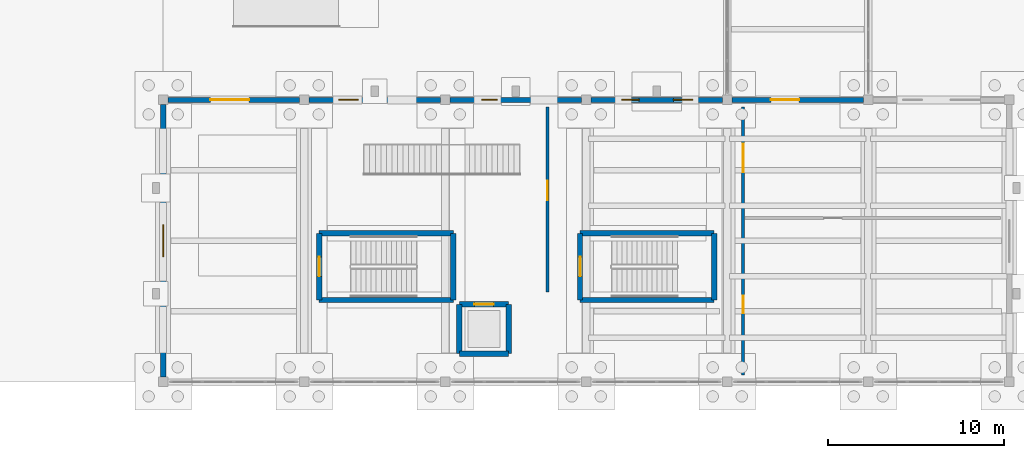
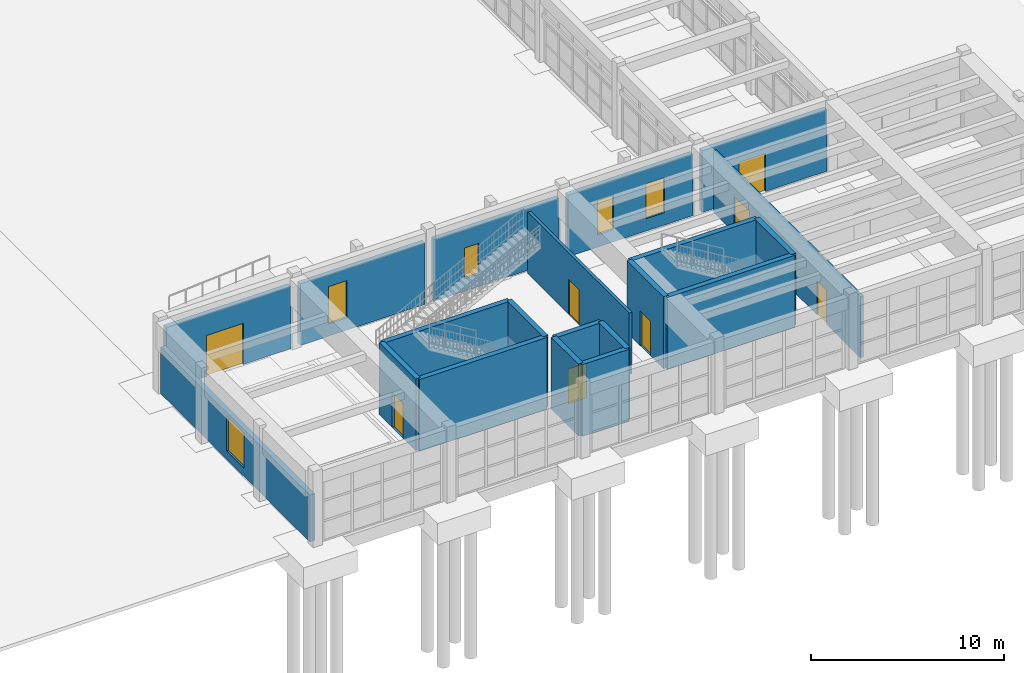
# One storey, part 45 of 68: 20 walls, 8 doors, 5 windows, 13 openings.
"""IFC4 building model written with IfcOpenShell, lengths in metres."""

import ifcopenshell
import ifcopenshell.guid

model = None  # the IFC model being written
_history = None  # IfcOwnerHistory: only IFC2X3 demands one
_inside = {}  # id of a spatial element -> (the spatial element, [elements in it])
_under = {}  # id of a project, library or spatial element -> (it, [spatial elements below it])
_declared = {}  # id of a project -> (the project, [libraries it declares])
_typed = {}  # id of a type object -> (the type object, [elements of that type])
_made_of = {}  # id of a material, layer set ... -> (it, [elements and type objects made of it])


def new_model(schema):
    """Start an empty IFC model of exactly this schema.

    Asked for "IFC4X3", IfcOpenShell would pick the latest addendum, in which some entities
    have other attributes; the version numbers below select the first issue.
    IFC2X3 requires an IfcOwnerHistory on every rooted entity: one is made here for all.
    """
    global model, _history
    if schema == "IFC4X3":
        model = ifcopenshell.file(schema_version=(4, 3, 0, 0))
    else:
        model = ifcopenshell.file(schema=schema)
    _inside.clear()
    _under.clear()
    _declared.clear()
    _typed.clear()
    _made_of.clear()
    _history = None
    if model.schema == "IFC2X3":
        org = make("IfcOrganization", Name="unknown")
        user = make(
            "IfcPersonAndOrganization",
            ThePerson=make("IfcPerson", FamilyName="unknown"),
            TheOrganization=org,
        )
        app = make(
            "IfcApplication",
            ApplicationDeveloper=org,
            Version="unknown",
            ApplicationFullName="unknown",
            ApplicationIdentifier="unknown",
        )
        _history = make(
            "IfcOwnerHistory",
            OwningUser=user,
            OwningApplication=app,
            ChangeAction="ADDED",
            CreationDate=0,
        )
    return model


def make(cls, **values):
    """One entity of the class cls with the attributes given. An attribute that is None is left unset."""
    return model.create_entity(
        cls, **{name: value for name, value in values.items() if value is not None}
    )


def rooted(cls, **values):
    """An entity with a GlobalId (a new one), such as an element, a storey or a relation."""
    return make(cls, GlobalId=ifcopenshell.guid.new(), OwnerHistory=_history, **values)


def si_unit(unit_type, name, prefix=None):
    """IfcSIUnit, for example si_unit("LENGTHUNIT", "METRE", prefix="MILLI")."""
    return make("IfcSIUnit", UnitType=unit_type, Prefix=prefix, Name=name)


def assignment(units):
    """IfcUnitAssignment: the units of a project."""
    return None if units is None else make("IfcUnitAssignment", Units=units)


def point(xyz):
    """IfcCartesianPoint."""
    return None if xyz is None else make("IfcCartesianPoint", Coordinates=xyz)


def direction(xyz):
    """IfcDirection."""
    return None if xyz is None else make("IfcDirection", DirectionRatios=xyz)


def frame(location, z_axis=None, x_axis=None):
    """IfcAxis2Placement3D, a coordinate frame: its origin and axes. An axis left out is left unset."""
    return make(
        "IfcAxis2Placement3D",
        Location=point(location),
        Axis=direction(z_axis),
        RefDirection=direction(x_axis),
    )


def frame_2d(location, x_axis=None):
    """IfcAxis2Placement2D, a coordinate frame in the plane: its origin and x axis."""
    return make(
        "IfcAxis2Placement2D", Location=point(location), RefDirection=direction(x_axis)
    )


def origin():
    """The frame at (0, 0, 0) with its axes left unset."""
    return frame((0.0, 0.0, 0.0))


def place(relative_to, where):
    """IfcLocalPlacement: puts the frame where relative to a parent placement (None: the world)."""
    return make(
        "IfcLocalPlacement", PlacementRelTo=relative_to, RelativePlacement=where
    )


def context(
    kind, dimensions, precision=None, world=None, true_north=None, identifier=None
):
    """IfcGeometricRepresentationContext, for example the 3D "Model" context."""
    return make(
        "IfcGeometricRepresentationContext",
        ContextIdentifier=identifier,
        ContextType=kind,
        CoordinateSpaceDimension=dimensions,
        Precision=precision,
        WorldCoordinateSystem=world,
        TrueNorth=true_north,
    )


def subcontext(parent, identifier, kind, view, scale=None):
    """IfcGeometricRepresentationSubContext, for example "Body" below "Model"."""
    return make(
        "IfcGeometricRepresentationSubContext",
        ContextIdentifier=identifier,
        ContextType=kind,
        ParentContext=parent,
        TargetScale=scale,
        TargetView=view,
    )


def project(units=None, contexts=None):
    """IfcProject with its units and contexts."""
    return rooted(
        "IfcProject",
        Name="project",
        RepresentationContexts=contexts,
        UnitsInContext=assignment(units),
    )


def spatial(cls, under=None, at=None, **own):
    """A site, building, storey or space (cls), placed at a placement, below another one or the project."""
    s = rooted(cls, ObjectPlacement=at, **own)
    if under is not None:
        _under.setdefault(under.id(), (under, []))[1].append(s)
    return s


def profile(cls, at=None, kind="AREA", **sizes):
    """A parametric profile (cls). Its sizes go by their IFC names, for example OverallWidth=200.0."""
    return make(cls, ProfileType=kind, Position=at, **sizes)


def rectangle(**sizes):
    """IfcRectangleProfileDef."""
    return profile("IfcRectangleProfileDef", **sizes)


def extrude(swept, where, along, depth):
    """IfcExtrudedAreaSolid: the profile swept, set in the frame where, extruded along a direction by depth."""
    return make(
        "IfcExtrudedAreaSolid",
        SweptArea=swept,
        Position=where,
        ExtrudedDirection=direction(along),
        Depth=depth,
    )


def shape(context_of_items, identifier, shape_type, items):
    """IfcShapeRepresentation: the items that make up one representation, for example the "Body"."""
    return make(
        "IfcShapeRepresentation",
        ContextOfItems=context_of_items,
        RepresentationIdentifier=identifier,
        RepresentationType=shape_type,
        Items=items,
    )


def material(Name=None, Category=None):
    """IfcMaterial."""
    return make("IfcMaterial", Name=Name, Category=Category)


def layer(
    of_material, thickness, ventilated=None, Name=None, Category=None, Priority=None
):
    """IfcMaterialLayer: one layer of a wall or slab, of a material (None: an air gap)."""
    return make(
        "IfcMaterialLayer",
        Material=of_material,
        LayerThickness=thickness,
        IsVentilated=ventilated,
        Name=Name,
        Category=Category,
        Priority=Priority,
    )


def layer_set(layers, Name=None):
    """IfcMaterialLayerSet."""
    return make("IfcMaterialLayerSet", MaterialLayers=layers, LayerSetName=Name)


def made_of(thing, what):
    """Note that an element or type object is made of a material, layer set ...; save() writes the relation."""
    if what is not None:
        _made_of.setdefault(what.id(), (what, []))[1].append(thing)
    return thing


def type_object(cls, material=None, **own):
    """A type object (cls), such as IfcWallType, which elements share."""
    return made_of(rooted(cls, **own), material)


def element(
    cls,
    number,
    at=None,
    inside=None,
    cuts=None,
    type_object=None,
    material=None,
    context=None,
    identifier="Body",
    shape_type=None,
    held_by="IfcProductDefinitionShape",
    body=None,
    shapes=None,
    **own,
):
    """One element of the class cls, such as IfcWall. Its Tag is "e" and its number.

    at: its placement. inside: the storey or other place that contains it. cuts: it is an
    opening in that element (IfcRelVoidsElement). A single representation is given by context,
    identifier, shape_type and body (its items); several are given by shapes. held_by: the class
    of the entity that holds the representations. save() writes the other relations.
    """
    e = rooted(cls, Tag="e%d" % number, ObjectPlacement=at, **own)
    if body is not None:
        shapes = [shape(context, identifier, shape_type, body)]
    if shapes is not None:
        e.Representation = make(held_by, Representations=shapes)
    if inside is not None:
        _inside.setdefault(inside.id(), (inside, []))[1].append(e)
    if cuts is not None:
        rooted(
            "IfcRelVoidsElement", RelatingBuildingElement=cuts, RelatedOpeningElement=e
        )
    if type_object is not None:
        _typed.setdefault(type_object.id(), (type_object, []))[1].append(e)
    return made_of(e, material)


def fill(opening, filler):
    """IfcRelFillsElement: the door or window that sits in an opening."""
    return rooted(
        "IfcRelFillsElement",
        RelatingOpeningElement=opening,
        RelatedBuildingElement=filler,
    )


def aggregate(whole, parts):
    """IfcRelAggregates: a whole, such as a stair, and the parts it consists of."""
    return rooted("IfcRelAggregates", RelatingObject=whole, RelatedObjects=parts)


def save(model, path):
    """Write the relations noted so far, then the file.

    IfcRelAggregates (storeys below a building ...), IfcRelContainedInSpatialStructure (elements
    in a storey), IfcRelDefinesByType, IfcRelAssociatesMaterial and IfcRelDeclares: one each for
    every whole, place, type object, material and project.
    """
    for whole, parts in _under.values():
        aggregate(whole, parts)
    for where, things in _inside.values():
        rooted(
            "IfcRelContainedInSpatialStructure",
            RelatedElements=things,
            RelatingStructure=where,
        )
    for kind, things in _typed.values():
        rooted("IfcRelDefinesByType", RelatedObjects=things, RelatingType=kind)
    for what, things in _made_of.values():
        rooted("IfcRelAssociatesMaterial", RelatedObjects=things, RelatingMaterial=what)
    for by, libraries in _declared.values():
        rooted("IfcRelDeclares", RelatingContext=by, RelatedDefinitions=libraries)
    model.write(path)


model = new_model("IFC4")

# Units and contexts
model_context = context("Model", 3, precision=1e-05, world=origin(), true_north=direction((0.0, 1.0)))
body_context = subcontext(model_context, "Body", "Model", "MODEL_VIEW")
ifc_project = project(units=[si_unit("LENGTHUNIT", "METRE"), si_unit("AREAUNIT", "SQUARE_METRE"), si_unit("VOLUMEUNIT", "CUBIC_METRE"), si_unit("PLANEANGLEUNIT", "RADIAN"), si_unit("MASSUNIT", "GRAM", prefix="KILO")], contexts=[model_context])

# Site, building, storey
site_placement = place(None, origin())
site = spatial("IfcSite", under=ifc_project, at=site_placement, CompositionType="ELEMENT")
building_placement = place(site_placement, origin())
building = spatial("IfcBuilding", under=site, at=building_placement, Name="Serraluz Foothill Cableway Terminal", CompositionType="ELEMENT")
storey_placement = place(building_placement, origin())
storey = spatial("IfcBuildingStorey", under=building, at=storey_placement, Name="L00", CompositionType="ELEMENT", Elevation=0.0)

# Wall, opening, door
ifc_material_1 = material(Name="Fired clay masonry brick (f'm 12 MPa)", Category="masonry")
ifc_layer_1 = layer(ifc_material_1, 0.280029296875, Name="Fired clay masonry brick (f'm 12 MPa)", Category="masonry")
ifc_layer_set_1 = layer_set([ifc_layer_1], Name="Fired clay masonry brick (f'm 12 MPa)")
wall_type_1 = type_object("IfcWallType", Name="TYP-WL-EXT-280", PredefinedType="STANDARD", material=ifc_layer_set_1)
wall_1_placement = place(storey_placement, frame((88.27490234375, 16.0, 0.0), z_axis=(0.0, 0.0, 1.0), x_axis=(1.0, 0.0, 0.0)))
wall_1 = element("IfcWall", 1, at=wall_1_placement, inside=storey, type_object=wall_type_1, Name="Exterior Masonry Wall EW-V3N-L00-88", PredefinedType="STANDARD", context=body_context, shape_type="SweptSolid", body=[
    extrude(rectangle(XDim=7.4501953125, YDim=0.280029296875, at=frame_2d((3.72509765625, 0.0))), origin(), (0.0, 0.0, 1.0), 3.945068359375),
])
opening_1_placement = place(wall_1_placement, frame((2.39990234375, 0.0, 0.0)))
opening_1 = element("IfcOpeningElement", 2, at=opening_1_placement, cuts=wall_1, Name="Opening DE-02", PredefinedType="OPENING", context=body_context, shape_type="SweptSolid", body=[
    extrude(rectangle(XDim=2.199951171875, YDim=2.60009765625, at=frame_2d((1.10009765625, 1.300048828125))), frame((0.0, 0.14990234375, 0.0), z_axis=(0.0, -1.0, 0.0), x_axis=(1.0, 0.0, 0.0)), (0.0, 0.0, 1.0), 0.300048828125),
])
ifc_material_2 = material(Name="Architectural bronze alloy C28000", Category="aluminium")
door_type_1 = type_object("IfcDoorType", Name="TYP-DR-EX-2200", OperationType="DOUBLE_DOOR_SINGLE_SWING", PredefinedType="DOOR", material=ifc_material_2)
door_1_placement = place(opening_1_placement, origin())
door_1 = element("IfcDoor", 3, at=door_1_placement, inside=storey, type_object=door_type_1, Name="Main pedestrian exit door D-EX09", OperationType="DOUBLE_DOOR_SINGLE_SWING", OverallHeight=2.60009765625, OverallWidth=2.199951171875, PredefinedType="DOOR", context=body_context, shape_type="SweptSolid", body=[
    extrude(rectangle(XDim=2.199951171875, YDim=2.60009765625, at=frame_2d((1.10009765625, 1.300048828125))), frame((0.0, 0.02490234375, 0.0), z_axis=(0.0, -1.0, 0.0), x_axis=(1.0, 0.0, 0.0)), (0.0, 0.0, 1.0), 0.050048828125),
])
fill(opening_1, door_1)

# Wall, opening, window
wall_2_placement = place(storey_placement, frame((96.27490234375, 16.0, 0.0), z_axis=(0.0, 0.0, 1.0), x_axis=(1.0, 0.0, 0.0)))
wall_2 = element("IfcWall", 4, at=wall_2_placement, inside=storey, type_object=wall_type_1, Name="Exterior Masonry Wall EW-V3N-L00-96", PredefinedType="STANDARD", context=body_context, shape_type="SweptSolid", body=[
    extrude(rectangle(XDim=7.4501953125, YDim=0.280029296875, at=frame_2d((3.72509765625, 0.0))), origin(), (0.0, 0.0, 1.0), 3.889892578125),
])
opening_2_placement = place(wall_2_placement, frame((1.675048828125, 0.0, 0.780029296875)))
opening_2 = element("IfcOpeningElement", 5, at=opening_2_placement, cuts=wall_2, Name="Opening W-50", PredefinedType="OPENING", context=body_context, shape_type="SweptSolid", body=[
    extrude(rectangle(XDim=1.1201171875, YDim=2.35009765625, at=frame_2d((0.56005859375, 1.175048828125))), frame((0.0, 0.14990234375, 0.0), z_axis=(0.0, -1.0, 0.0), x_axis=(1.0, 0.0, 0.0)), (0.0, 0.0, 1.0), 0.300048828125),
])
ifc_material_3 = material(Name="Laminated low-E safety glass", Category="glass")
window_type_1 = type_object("IfcWindowType", Name="TYP-WN-112X235", PartitioningType="SINGLE_PANEL", PredefinedType="WINDOW", material=ifc_material_3)
window_1_placement = place(opening_2_placement, origin())
window_1 = element("IfcWindow", 6, at=window_1_placement, inside=storey, type_object=window_type_1, Name="Exterior Window EW-V3N-L00-96-WN1", OverallHeight=2.35009765625, OverallWidth=1.1201171875, PartitioningType="SINGLE_PANEL", PredefinedType="WINDOW", context=body_context, shape_type="SweptSolid", body=[
    extrude(rectangle(XDim=1.1201171875, YDim=2.35009765625, at=frame_2d((0.56005859375, 1.175048828125))), frame((0.0, 0.030029296875, 0.0), z_axis=(0.0, -1.0, 0.0), x_axis=(1.0, 0.0, 0.0)), (0.0, 0.0, 1.0), 0.06005859375),
])
fill(opening_2, window_1)

wall_3_placement = place(storey_placement, frame((104.27490234375, 16.0, 0.0), z_axis=(0.0, 0.0, 1.0), x_axis=(1.0, 0.0, 0.0)))
wall_3 = element("IfcWall", 7, at=wall_3_placement, inside=storey, type_object=wall_type_1, Name="Exterior Masonry Wall EW-V3N-L00-104", PredefinedType="STANDARD", context=body_context, shape_type="SweptSolid", body=[
    extrude(rectangle(XDim=7.4501953125, YDim=0.280029296875, at=frame_2d((3.72509765625, 0.0))), origin(), (0.0, 0.0, 1.0), 3.889892578125),
])
opening_3_placement = place(wall_3_placement, frame((1.794921875, 0.0, 0.780029296875)))
opening_3 = element("IfcOpeningElement", 8, at=opening_3_placement, cuts=wall_3, Name="Opening W-48", PredefinedType="OPENING", context=body_context, shape_type="SweptSolid", body=[
    extrude(rectangle(XDim=0.8798828125, YDim=1.949951171875, at=frame_2d((0.43994140625, 0.97509765625))), frame((0.0, 0.14990234375, 0.0), z_axis=(0.0, -1.0, 0.0), x_axis=(1.0, 0.0, 0.0)), (0.0, 0.0, 1.0), 0.300048828125),
])
window_type_2 = type_object("IfcWindowType", Name="TYP-WN-088X195", PartitioningType="SINGLE_PANEL", PredefinedType="WINDOW", material=ifc_material_3)
window_2_placement = place(opening_3_placement, origin())
window_2 = element("IfcWindow", 9, at=window_2_placement, inside=storey, type_object=window_type_2, Name="Exterior Window EW-V3N-L00-104-WN1", OverallHeight=1.949951171875, OverallWidth=0.8798828125, PartitioningType="SINGLE_PANEL", PredefinedType="WINDOW", context=body_context, shape_type="SweptSolid", body=[
    extrude(rectangle(XDim=0.8798828125, YDim=1.949951171875, at=frame_2d((0.43994140625, 0.97509765625))), frame((0.0, 0.030029296875, 0.0), z_axis=(0.0, -1.0, 0.0), x_axis=(1.0, 0.0, 0.0)), (0.0, 0.0, 1.0), 0.06005859375),
])
fill(opening_3, window_2)

# Wall, openings, windows
wall_4_placement = place(storey_placement, frame((112.27490234375, 16.0, 0.0), z_axis=(0.0, 0.0, 1.0), x_axis=(1.0, 0.0, 0.0)))
wall_4 = element("IfcWall", 10, at=wall_4_placement, inside=storey, type_object=wall_type_1, Name="Exterior Masonry Wall EW-V3N-L00-112", PredefinedType="STANDARD", context=body_context, shape_type="SweptSolid", body=[
    extrude(rectangle(XDim=7.4501953125, YDim=0.280029296875, at=frame_2d((3.72509765625, 0.0))), origin(), (0.0, 0.0, 1.0), 3.889892578125),
])
opening_4_placement = place(wall_4_placement, frame((1.7451171875, 0.0, 0.780029296875)))
opening_4 = element("IfcOpeningElement", 11, at=opening_4_placement, cuts=wall_4, Name="Opening W-49", PredefinedType="OPENING", context=body_context, shape_type="SweptSolid", body=[
    extrude(rectangle(XDim=0.97998046875, YDim=2.14990234375, at=frame_2d((0.489990234375, 1.074951171875))), frame((0.0, 0.14990234375, 0.0), z_axis=(0.0, -1.0, 0.0), x_axis=(1.0, 0.0, 0.0)), (0.0, 0.0, 1.0), 0.300048828125),
])
opening_5_placement = place(wall_4_placement, frame((4.6650390625, 0.0, 0.780029296875)))
opening_5 = element("IfcOpeningElement", 12, at=opening_5_placement, cuts=wall_4, Name="Opening W-04", PredefinedType="OPENING", context=body_context, shape_type="SweptSolid", body=[
    extrude(rectangle(XDim=1.10009765625, YDim=2.199951171875, at=frame_2d((0.550048828125, 1.10009765625))), frame((0.0, 0.14990234375, 0.0), z_axis=(0.0, -1.0, 0.0), x_axis=(1.0, 0.0, 0.0)), (0.0, 0.0, 1.0), 0.300048828125),
])
window_type_3 = type_object("IfcWindowType", Name="TYP-WN-098X215", PartitioningType="SINGLE_PANEL", PredefinedType="WINDOW", material=ifc_material_3)
window_3_placement = place(opening_4_placement, origin())
window_3 = element("IfcWindow", 13, at=window_3_placement, inside=storey, type_object=window_type_3, Name="Exterior Window EW-V3N-L00-112-WN1", OverallHeight=2.14990234375, OverallWidth=0.97998046875, PartitioningType="SINGLE_PANEL", PredefinedType="WINDOW", context=body_context, shape_type="SweptSolid", body=[
    extrude(rectangle(XDim=0.97998046875, YDim=2.14990234375, at=frame_2d((0.489990234375, 1.074951171875))), frame((0.0, 0.030029296875, 0.0), z_axis=(0.0, -1.0, 0.0), x_axis=(1.0, 0.0, 0.0)), (0.0, 0.0, 1.0), 0.06005859375),
])
fill(opening_4, window_3)
window_type_4 = type_object("IfcWindowType", Name="TYP-WN-110X220", PartitioningType="SINGLE_PANEL", PredefinedType="WINDOW", material=ifc_material_3)
window_4_placement = place(opening_5_placement, origin())
window_4 = element("IfcWindow", 14, at=window_4_placement, inside=storey, type_object=window_type_4, Name="Exterior Window EW-V3N-L00-112-WN2", OverallHeight=2.199951171875, OverallWidth=1.10009765625, PartitioningType="SINGLE_PANEL", PredefinedType="WINDOW", context=body_context, shape_type="SweptSolid", body=[
    extrude(rectangle(XDim=1.10009765625, YDim=2.199951171875, at=frame_2d((0.550048828125, 1.10009765625))), frame((0.0, 0.030029296875, 0.0), z_axis=(0.0, -1.0, 0.0), x_axis=(1.0, 0.0, 0.0)), (0.0, 0.0, 1.0), 0.06005859375),
])
fill(opening_5, window_4)

# Wall, opening, door
wall_5_placement = place(storey_placement, frame((120.27490234375, 16.0, 0.0), z_axis=(0.0, 0.0, 1.0), x_axis=(1.0, 0.0, 0.0)))
wall_5 = element("IfcWall", 15, at=wall_5_placement, inside=storey, type_object=wall_type_1, Name="Exterior Masonry Wall EW-V3N-L00-120", PredefinedType="STANDARD", context=body_context, shape_type="SweptSolid", body=[
    extrude(rectangle(XDim=7.4501953125, YDim=0.280029296875, at=frame_2d((3.72509765625, 0.0))), origin(), (0.0, 0.0, 1.0), 3.889892578125),
])
opening_6_placement = place(wall_5_placement, frame((2.199951171875, 0.0, 0.0)))
opening_6 = element("IfcOpeningElement", 16, at=opening_6_placement, cuts=wall_5, Name="Opening DT-03", PredefinedType="OPENING", context=body_context, shape_type="SweptSolid", body=[
    extrude(rectangle(XDim=1.60009765625, YDim=2.39990234375, at=frame_2d((0.800048828125, 1.199951171875))), frame((0.0, 0.14990234375, 0.0), z_axis=(0.0, -1.0, 0.0), x_axis=(1.0, 0.0, 0.0)), (0.0, 0.0, 1.0), 0.300048828125),
])
door_type_2 = type_object("IfcDoorType", Name="TYP-DR-TER-1600", OperationType="DOUBLE_DOOR_SINGLE_SWING", PredefinedType="DOOR", material=ifc_material_2)
door_2_placement = place(opening_6_placement, origin())
door_2 = element("IfcDoor", 17, at=door_2_placement, inside=storey, type_object=door_type_2, Name="Cloister South Bridge Door L00", OperationType="DOUBLE_DOOR_SINGLE_SWING", OverallHeight=2.39990234375, OverallWidth=1.60009765625, PredefinedType="DOOR", context=body_context, shape_type="SweptSolid", body=[
    extrude(rectangle(XDim=1.60009765625, YDim=2.39990234375, at=frame_2d((0.800048828125, 1.199951171875))), frame((0.0, 0.02490234375, 0.0), z_axis=(0.0, -1.0, 0.0), x_axis=(1.0, 0.0, 0.0)), (0.0, 0.0, 1.0), 0.050048828125),
])
fill(opening_6, door_2)

# Wall, opening, window
ifc_layer_2 = layer(ifc_material_1, 0.300048828125, Name="Fired clay masonry brick (f'm 12 MPa)", Category="masonry")
ifc_layer_set_2 = layer_set([ifc_layer_2], Name="Fired clay masonry brick (f'm 12 MPa)")
wall_type_2 = type_object("IfcWallType", Name="TYP-WL-EXT-300", PredefinedType="STANDARD", material=ifc_layer_set_2)
wall_6_placement = place(storey_placement, frame((88.0, 0.27490234375, 0.0), z_axis=(0.0, 0.0, 1.0), x_axis=(0.0, 1.0, 0.0)))
wall_6 = element("IfcWall", 18, at=wall_6_placement, inside=storey, type_object=wall_type_2, Name="Exterior Masonry Wall EW-V3W-L00", PredefinedType="STANDARD", context=body_context, shape_type="SweptSolid", body=[
    extrude(rectangle(XDim=15.4501953125, YDim=0.300048828125, at=frame_2d((7.72509765625, 0.0))), origin(), (0.0, 0.0, 1.0), 2.945068359375),
])
opening_7_placement = place(wall_6_placement, frame((6.824951171875, 0.0, 0.52490234375)))
opening_7 = element("IfcOpeningElement", 19, at=opening_7_placement, cuts=wall_6, Name="Opening W-10", PredefinedType="OPENING", context=body_context, shape_type="SweptSolid", body=[
    extrude(rectangle(XDim=1.800048828125, YDim=2.199951171875, at=frame_2d((0.89990234375, 1.10009765625))), frame((0.0, 0.16015625, 0.0), z_axis=(0.0, -1.0, 0.0), x_axis=(1.0, 0.0, 0.0)), (0.0, 0.0, 1.0), 0.320068359375),
])
window_type_5 = type_object("IfcWindowType", Name="TYP-WN-180X220", PartitioningType="DOUBLE_PANEL_VERTICAL", PredefinedType="WINDOW", material=ifc_material_3)
window_5_placement = place(opening_7_placement, origin())
window_5 = element("IfcWindow", 20, at=window_5_placement, inside=storey, type_object=window_type_5, Name="Exterior Window EW-V3W-L00-WN2", OverallHeight=2.199951171875, OverallWidth=1.800048828125, PartitioningType="SINGLE_PANEL", PredefinedType="WINDOW", context=body_context, shape_type="SweptSolid", body=[
    extrude(rectangle(XDim=1.800048828125, YDim=2.199951171875, at=frame_2d((0.89990234375, 1.10009765625))), frame((0.0, 0.030029296875, 0.0), z_axis=(0.0, -1.0, 0.0), x_axis=(1.0, 0.0, 0.0)), (0.0, 0.0, 1.0), 0.06005859375),
])
fill(opening_7, window_5)

# Wall, openings, doors
ifc_layer_3 = layer(ifc_material_1, 0.179931640625, Name="Fired clay masonry brick (f'm 12 MPa)", Category="masonry")
ifc_layer_set_3 = layer_set([ifc_layer_3], Name="Fired clay masonry brick (f'm 12 MPa)")
wall_type_3 = type_object("IfcWallType", Name="TYP-WL-PRT-180", PredefinedType="PARTITIONING", material=ifc_layer_set_3)
wall_7_placement = place(storey_placement, frame((120.89990234375, 0.39990234375, 0.0), z_axis=(0.0, 0.0, 1.0), x_axis=(0.0, 1.0, 0.0)))
wall_7 = element("IfcWall", 21, at=wall_7_placement, inside=storey, type_object=wall_type_3, Name="Interior Partition PT-L00-09", PredefinedType="PARTITIONING", context=body_context, shape_type="SweptSolid", body=[
    extrude(rectangle(XDim=15.2001953125, YDim=0.179931640625, at=frame_2d((7.60009765625, 0.0))), origin(), (0.0, 0.0, 1.0), 3.882080078125),
])
opening_8_placement = place(wall_7_placement, frame((3.5, 0.0, 0.0)))
opening_8 = element("IfcOpeningElement", 22, at=opening_8_placement, cuts=wall_7, Name="Opening DF-02", PredefinedType="OPENING", context=body_context, shape_type="SweptSolid", body=[
    extrude(rectangle(XDim=1.0, YDim=2.14990234375, at=frame_2d((0.5, 1.074951171875))), frame((0.0, 0.10009765625, 0.0), z_axis=(0.0, -1.0, 0.0), x_axis=(1.0, 0.0, 0.0)), (0.0, 0.0, 1.0), 0.199951171875),
])
opening_9_placement = place(wall_7_placement, frame((11.5, 0.0, 0.0)))
opening_9 = element("IfcOpeningElement", 23, at=opening_9_placement, cuts=wall_7, Name="Opening DI-05", PredefinedType="OPENING", context=body_context, shape_type="SweptSolid", body=[
    extrude(rectangle(XDim=1.60009765625, YDim=2.300048828125, at=frame_2d((0.800048828125, 1.14990234375))), frame((0.0, 0.10009765625, 0.0), z_axis=(0.0, -1.0, 0.0), x_axis=(1.0, 0.0, 0.0)), (0.0, 0.0, 1.0), 0.199951171875),
])
door_type_3 = type_object("IfcDoorType", Name="TYP-DR-DBL-1600", OperationType="DOUBLE_DOOR_SINGLE_SWING", PredefinedType="DOOR", material=ifc_material_2)
door_3_placement = place(opening_9_placement, origin())
door_3 = element("IfcDoor", 24, at=door_3_placement, inside=storey, type_object=door_type_3, Name="Interior Door PT-L00-09-DR2", OperationType="DOUBLE_DOOR_SINGLE_SWING", OverallHeight=2.300048828125, OverallWidth=1.60009765625, PredefinedType="DOOR", context=body_context, shape_type="SweptSolid", body=[
    extrude(rectangle(XDim=1.60009765625, YDim=2.300048828125, at=frame_2d((0.800048828125, 1.14990234375))), frame((0.0, 0.02490234375, 0.0), z_axis=(0.0, -1.0, 0.0), x_axis=(1.0, 0.0, 0.0)), (0.0, 0.0, 1.0), 0.050048828125),
])
fill(opening_9, door_3)
ifc_material_4 = material(Name="Galvanized hollow-metal steel sheet", Category="steel")
door_type_4 = type_object("IfcDoorType", Name="TYP-DR-FD30-1000", OperationType="NOTDEFINED", PredefinedType="DOOR", material=ifc_material_4)
door_4_placement = place(opening_8_placement, origin())
door_4 = element("IfcDoor", 25, at=door_4_placement, inside=storey, type_object=door_type_4, Name="Interior Door PT-L00-09-DR1", OperationType="SINGLE_SWING_RIGHT", OverallHeight=2.14990234375, OverallWidth=1.0, PredefinedType="DOOR", context=body_context, shape_type="SweptSolid", body=[
    extrude(rectangle(XDim=1.0, YDim=2.14990234375, at=frame_2d((0.5, 1.074951171875))), frame((0.0, 0.02490234375, 0.0), z_axis=(0.0, -1.0, 0.0), x_axis=(1.0, 0.0, 0.0)), (0.0, 0.0, 1.0), 0.050048828125),
])
fill(opening_8, door_4)

# Wall, opening, door
wall_8_placement = place(storey_placement, frame((109.800048828125, 5.10009765625, 0.0), z_axis=(0.0, 0.0, 1.0), x_axis=(0.0, 1.0, 0.0)))
wall_8 = element("IfcWall", 26, at=wall_8_placement, inside=storey, type_object=wall_type_3, Name="Interior Partition PT-L00-14W", PredefinedType="PARTITIONING", context=body_context, shape_type="SweptSolid", body=[
    extrude(rectangle(XDim=10.5, YDim=0.179931640625, at=frame_2d((5.25, 0.0))), origin(), (0.0, 0.0, 1.0), 3.882080078125),
])
opening_10_placement = place(wall_8_placement, frame((5.199951171875, 0.0, 0.0)))
opening_10 = element("IfcOpeningElement", 27, at=opening_10_placement, cuts=wall_8, Name="Opening DF-03", PredefinedType="OPENING", context=body_context, shape_type="SweptSolid", body=[
    extrude(rectangle(XDim=1.10009765625, YDim=2.199951171875, at=frame_2d((0.550048828125, 1.10009765625))), frame((0.0, 0.10009765625, 0.0), z_axis=(0.0, -1.0, 0.0), x_axis=(1.0, 0.0, 0.0)), (0.0, 0.0, 1.0), 0.199951171875),
])
door_type_5 = type_object("IfcDoorType", Name="TYP-DR-FD30-1100", OperationType="NOTDEFINED", PredefinedType="DOOR", material=ifc_material_4)
door_5_placement = place(opening_10_placement, origin())
door_5 = element("IfcDoor", 28, at=door_5_placement, inside=storey, type_object=door_type_5, Name="Interior Door PT-L00-14W-DR1", OperationType="SINGLE_SWING_RIGHT", OverallHeight=2.199951171875, OverallWidth=1.10009765625, PredefinedType="DOOR", context=body_context, shape_type="SweptSolid", body=[
    extrude(rectangle(XDim=1.10009765625, YDim=2.199951171875, at=frame_2d((0.550048828125, 1.10009765625))), frame((0.0, 0.02490234375, 0.0), z_axis=(0.0, -1.0, 0.0), x_axis=(1.0, 0.0, 0.0)), (0.0, 0.0, 1.0), 0.050048828125),
])
fill(opening_10, door_5)

# Wall
ifc_material_5 = material(Name="Concrete C35/45 (f'c 35 MPa)", Category="concrete")
ifc_layer_4 = layer(ifc_material_5, 0.300048828125, Name="Concrete C35/45 (f'c 35 MPa)", Category="concrete")
ifc_layer_set_4 = layer_set([ifc_layer_4], Name="Concrete C35/45 (f'c 35 MPa)")
wall_type_4 = type_object("IfcWallType", Name="TYP-WL-SHR-350", PredefinedType="SHEAR", material=ifc_layer_set_4)
wall_9_placement = place(storey_placement, frame((104.4599609375, 4.64990234375, 0.0), z_axis=(0.0, 0.0, 1.0), x_axis=(-1.0, 0.0, 0.0)))
element("IfcWall", 29, at=wall_9_placement, inside=storey, type_object=wall_type_4, Name="Stair Core Shear Wall CW-ST-06-L00-S", PredefinedType="SHEAR", context=body_context, shape_type="SweptSolid", body=[
    extrude(rectangle(XDim=7.60986328125, YDim=0.300048828125, at=frame_2d((3.804931640625, 0.0))), origin(), (0.0, 0.0, 1.0), 4.5400390625),
])

# Wall, opening, door
wall_10_placement = place(storey_placement, frame((96.85009765625, 4.64990234375, 0.0), z_axis=(0.0, 0.0, 1.0), x_axis=(0.0, 1.0, 0.0)))
wall_10 = element("IfcWall", 30, at=wall_10_placement, inside=storey, type_object=wall_type_4, Name="Stair Core Shear Wall CW-ST-06-L00-W", PredefinedType="SHEAR", context=body_context, shape_type="SweptSolid", body=[
    extrude(rectangle(XDim=3.780029296875, YDim=0.300048828125, at=frame_2d((1.89013671875, 0.0))), origin(), (0.0, 0.0, 1.0), 4.5400390625),
])
opening_11_placement = place(wall_10_placement, frame((1.340087890625, 0.0, 0.0)))
opening_11 = element("IfcOpeningElement", 31, at=opening_11_placement, cuts=wall_10, Name="Opening DF-07", PredefinedType="OPENING", context=body_context, shape_type="SweptSolid", body=[
    extrude(rectangle(XDim=1.10009765625, YDim=2.199951171875, at=frame_2d((0.550048828125, 1.10009765625))), frame((0.0, 0.16015625, 0.0), z_axis=(0.0, -1.0, 0.0), x_axis=(1.0, 0.0, 0.0)), (0.0, 0.0, 1.0), 0.320068359375),
])
door_type_6 = type_object("IfcDoorType", Name="TYP-DR-FD60-1100", OperationType="NOTDEFINED", PredefinedType="DOOR", material=ifc_material_4)
door_6_placement = place(opening_11_placement, origin())
door_6 = element("IfcDoor", 32, at=door_6_placement, inside=storey, type_object=door_type_6, Name="Exit Stair Fire Door ST-06 L00", OperationType="SINGLE_SWING_LEFT", OverallHeight=2.199951171875, OverallWidth=1.10009765625, PredefinedType="DOOR", context=body_context, shape_type="SweptSolid", body=[
    extrude(rectangle(XDim=1.10009765625, YDim=2.199951171875, at=frame_2d((0.550048828125, 1.10009765625))), frame((0.0, 0.02490234375, 0.0), z_axis=(0.0, -1.0, 0.0), x_axis=(1.0, 0.0, 0.0)), (0.0, 0.0, 1.0), 0.050048828125),
])
fill(opening_11, door_6)

# Walls
wall_11_placement = place(storey_placement, frame((96.85009765625, 8.429931640625, 0.0), z_axis=(0.0, 0.0, 1.0), x_axis=(1.0, 0.0, 0.0)))
element("IfcWall", 33, at=wall_11_placement, inside=storey, type_object=wall_type_4, Name="Stair Core Shear Wall CW-ST-06-L00-N", PredefinedType="SHEAR", context=body_context, shape_type="SweptSolid", body=[
    extrude(rectangle(XDim=7.60986328125, YDim=0.300048828125, at=frame_2d((3.804931640625, 0.0))), origin(), (0.0, 0.0, 1.0), 4.5400390625),
])
wall_12_placement = place(storey_placement, frame((104.4599609375, 8.429931640625, 0.0), z_axis=(0.0, 0.0, 1.0), x_axis=(0.0, -1.0, 0.0)))
element("IfcWall", 34, at=wall_12_placement, inside=storey, type_object=wall_type_4, Name="Stair Core Shear Wall CW-ST-06-L00-E", PredefinedType="SHEAR", context=body_context, shape_type="SweptSolid", body=[
    extrude(rectangle(XDim=3.780029296875, YDim=0.300048828125, at=frame_2d((1.89013671875, 0.0))), origin(), (0.0, 0.0, 1.0), 4.5400390625),
])
wall_13_placement = place(storey_placement, frame((119.260009765625, 4.64990234375, 0.0), z_axis=(0.0, 0.0, 1.0), x_axis=(-1.0, 0.0, 0.0)))
element("IfcWall", 35, at=wall_13_placement, inside=storey, type_object=wall_type_4, Name="Stair Core Shear Wall CW-ST-07-L00-S", PredefinedType="SHEAR", context=body_context, shape_type="SweptSolid", body=[
    extrude(rectangle(XDim=7.610107421875, YDim=0.300048828125, at=frame_2d((3.80517578125, 0.0))), origin(), (0.0, 0.0, 1.0), 4.5400390625),
])

# Wall, opening, door
wall_14_placement = place(storey_placement, frame((111.64990234375, 4.64990234375, 0.0), z_axis=(0.0, 0.0, 1.0), x_axis=(0.0, 1.0, 0.0)))
wall_14 = element("IfcWall", 36, at=wall_14_placement, inside=storey, type_object=wall_type_4, Name="Stair Core Shear Wall CW-ST-07-L00-W", PredefinedType="SHEAR", context=body_context, shape_type="SweptSolid", body=[
    extrude(rectangle(XDim=3.780029296875, YDim=0.300048828125, at=frame_2d((1.89013671875, 0.0))), origin(), (0.0, 0.0, 1.0), 4.5400390625),
])
opening_12_placement = place(wall_14_placement, frame((1.340087890625, 0.0, 0.0)))
opening_12 = element("IfcOpeningElement", 37, at=opening_12_placement, cuts=wall_14, Name="Opening DF-07", PredefinedType="OPENING", context=body_context, shape_type="SweptSolid", body=[
    extrude(rectangle(XDim=1.10009765625, YDim=2.199951171875, at=frame_2d((0.550048828125, 1.10009765625))), frame((0.0, 0.16015625, 0.0), z_axis=(0.0, -1.0, 0.0), x_axis=(1.0, 0.0, 0.0)), (0.0, 0.0, 1.0), 0.320068359375),
])
door_7_placement = place(opening_12_placement, origin())
door_7 = element("IfcDoor", 38, at=door_7_placement, inside=storey, type_object=door_type_6, Name="Exit Stair Fire Door ST-07 L00", OperationType="SINGLE_SWING_LEFT", OverallHeight=2.199951171875, OverallWidth=1.10009765625, PredefinedType="DOOR", context=body_context, shape_type="SweptSolid", body=[
    extrude(rectangle(XDim=1.10009765625, YDim=2.199951171875, at=frame_2d((0.550048828125, 1.10009765625))), frame((0.0, 0.02490234375, 0.0), z_axis=(0.0, -1.0, 0.0), x_axis=(1.0, 0.0, 0.0)), (0.0, 0.0, 1.0), 0.050048828125),
])
fill(opening_12, door_7)

# Walls
wall_15_placement = place(storey_placement, frame((111.64990234375, 8.429931640625, 0.0), z_axis=(0.0, 0.0, 1.0), x_axis=(1.0, 0.0, 0.0)))
element("IfcWall", 39, at=wall_15_placement, inside=storey, type_object=wall_type_4, Name="Stair Core Shear Wall CW-ST-07-L00-N", PredefinedType="SHEAR", context=body_context, shape_type="SweptSolid", body=[
    extrude(rectangle(XDim=7.610107421875, YDim=0.300048828125, at=frame_2d((3.80517578125, 0.0))), origin(), (0.0, 0.0, 1.0), 4.5400390625),
])
wall_16_placement = place(storey_placement, frame((119.260009765625, 8.429931640625, 0.0), z_axis=(0.0, 0.0, 1.0), x_axis=(0.0, -1.0, 0.0)))
element("IfcWall", 40, at=wall_16_placement, inside=storey, type_object=wall_type_4, Name="Stair Core Shear Wall CW-ST-07-L00-E", PredefinedType="SHEAR", context=body_context, shape_type="SweptSolid", body=[
    extrude(rectangle(XDim=3.780029296875, YDim=0.300048828125, at=frame_2d((1.89013671875, 0.0))), origin(), (0.0, 0.0, 1.0), 4.5400390625),
])
wall_17_placement = place(storey_placement, frame((107.60009765625, 1.60009765625, 0.0), z_axis=(0.0, 0.0, 1.0), x_axis=(-1.0, 0.0, 0.0)))
element("IfcWall", 41, at=wall_17_placement, inside=storey, type_object=wall_type_4, Name="Lift Shaft Shear Wall LW-LF-06-L00-S", PredefinedType="SHEAR", context=body_context, shape_type="SweptSolid", body=[
    extrude(rectangle(XDim=2.800048828125, YDim=0.300048828125, at=frame_2d((1.39990234375, 0.0))), origin(), (0.0, 0.0, 1.0), 4.5400390625),
])
wall_18_placement = place(storey_placement, frame((104.800048828125, 1.60009765625, 0.0), z_axis=(0.0, 0.0, 1.0), x_axis=(0.0, 1.0, 0.0)))
element("IfcWall", 42, at=wall_18_placement, inside=storey, type_object=wall_type_4, Name="Lift Shaft Shear Wall LW-LF-06-L00-W", PredefinedType="SHEAR", context=body_context, shape_type="SweptSolid", body=[
    extrude(rectangle(XDim=2.7998046875, YDim=0.300048828125, at=frame_2d((1.39990234375, 0.0))), origin(), (0.0, 0.0, 1.0), 4.5400390625),
])

# Wall, opening, door
wall_19_placement = place(storey_placement, frame((104.800048828125, 4.39990234375, 0.0), z_axis=(0.0, 0.0, 1.0), x_axis=(1.0, 0.0, 0.0)))
wall_19 = element("IfcWall", 43, at=wall_19_placement, inside=storey, type_object=wall_type_4, Name="Lift Shaft Shear Wall LW-LF-06-L00-N", PredefinedType="SHEAR", context=body_context, shape_type="SweptSolid", body=[
    extrude(rectangle(XDim=2.800048828125, YDim=0.300048828125, at=frame_2d((1.39990234375, 0.0))), origin(), (0.0, 0.0, 1.0), 4.5400390625),
])
opening_13_placement = place(wall_19_placement, frame((0.85009765625, 0.0, 0.0)))
opening_13 = element("IfcOpeningElement", 44, at=opening_13_placement, cuts=wall_19, Name="Opening LD-01", PredefinedType="OPENING", context=body_context, shape_type="SweptSolid", body=[
    extrude(rectangle(XDim=1.10009765625, YDim=2.199951171875, at=frame_2d((0.550048828125, 1.10009765625))), frame((0.0, 0.16015625, 0.0), z_axis=(0.0, -1.0, 0.0), x_axis=(1.0, 0.0, 0.0)), (0.0, 0.0, 1.0), 0.320068359375),
])
door_type_7 = type_object("IfcDoorType", Name="TYP-DR-LD-1100", OperationType="DOUBLE_DOOR_SLIDING", PredefinedType="DOOR", material=ifc_material_4)
door_8_placement = place(opening_13_placement, origin())
door_8 = element("IfcDoor", 45, at=door_8_placement, inside=storey, type_object=door_type_7, Name="Lift Sliding Landing Door LF-06 L00", OperationType="DOUBLE_DOOR_SLIDING", OverallHeight=2.199951171875, OverallWidth=1.10009765625, PredefinedType="DOOR", context=body_context, shape_type="SweptSolid", body=[
    extrude(rectangle(XDim=1.10009765625, YDim=2.199951171875, at=frame_2d((0.550048828125, 1.10009765625))), frame((0.0, 0.02490234375, 0.0), z_axis=(0.0, -1.0, 0.0), x_axis=(1.0, 0.0, 0.0)), (0.0, 0.0, 1.0), 0.050048828125),
])
fill(opening_13, door_8)

# Wall
wall_20_placement = place(storey_placement, frame((107.60009765625, 4.39990234375, 0.0), z_axis=(0.0, 0.0, 1.0), x_axis=(0.0, -1.0, 0.0)))
element("IfcWall", 46, at=wall_20_placement, inside=storey, type_object=wall_type_4, Name="Lift Shaft Shear Wall LW-LF-06-L00-E", PredefinedType="SHEAR", context=body_context, shape_type="SweptSolid", body=[
    extrude(rectangle(XDim=2.7998046875, YDim=0.300048828125, at=frame_2d((1.39990234375, 0.0))), origin(), (0.0, 0.0, 1.0), 4.5400390625),
])

save(model, "model.ifc")
